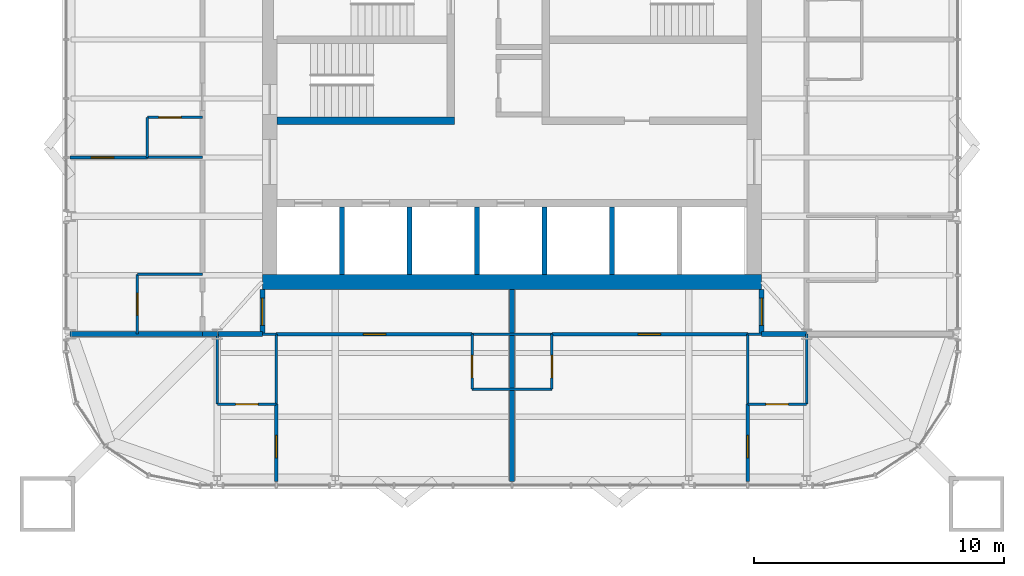
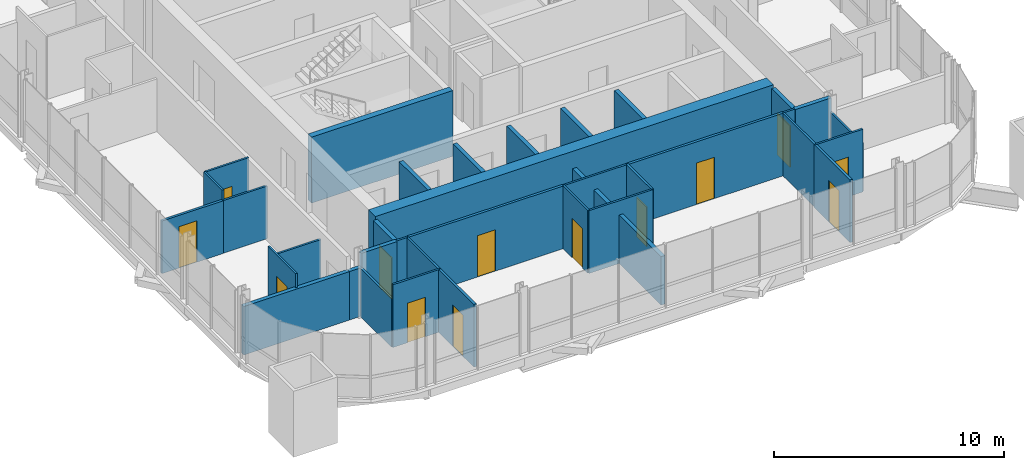
# One storey, part 13 of 17: 36 walls, 13 doors, 13 openings.
"""IFC4 building model written with IfcOpenShell, lengths in metres."""

from ifc_helpers import new_model, si_unit, direction, frame, frame_2d, origin, place, context, subcontext, project, spatial, rectangle, extrude, material, layer, layer_set, type_object, element, fill, save


model = new_model("IFC4")

# Units and contexts
model_context = context("Model", 3, precision=1e-05, world=origin(), true_north=direction((0.0, 1.0)))
body_context = subcontext(model_context, "Body", "Model", "MODEL_VIEW")
ifc_project = project(units=[si_unit("LENGTHUNIT", "METRE"), si_unit("AREAUNIT", "SQUARE_METRE"), si_unit("VOLUMEUNIT", "CUBIC_METRE"), si_unit("PLANEANGLEUNIT", "RADIAN"), si_unit("MASSUNIT", "GRAM", prefix="KILO")], contexts=[model_context])

# Site, building, storey
site_placement = place(None, origin())
site = spatial("IfcSite", under=ifc_project, at=site_placement, CompositionType="ELEMENT")
building_placement = place(site_placement, origin())
building = spatial("IfcBuilding", under=site, at=building_placement, Name="Turquesa Mirador Hotel Tower", CompositionType="ELEMENT")
storey_placement = place(building_placement, frame((0.0, 0.0, 244.199951171875)))
storey = spatial("IfcBuildingStorey", under=building, at=storey_placement, Name="L66", CompositionType="ELEMENT", Elevation=244.199951171875)

# Walls
ifc_material_1 = material(Name="Gypsum board on steel studs", Category="steel")
ifc_layer_1 = layer(ifc_material_1, 0.10009765625)
ifc_layer_set_1 = layer_set([ifc_layer_1], Name="BATHROOM WALL 100")
wall_type_1 = type_object("IfcWallType", Name="BATHROOM WALL 100", PredefinedType="PARTITIONING", material=ifc_layer_set_1)
wall_1_placement = place(storey_placement, frame((45.0, 33.199951171875, 0.0), z_axis=(0.0, 0.0, 1.0), x_axis=(1.0, 0.0, 0.0)))
element("IfcWall", 1, at=wall_1_placement, inside=storey, type_object=wall_type_1, Name="Partition L66 002", PredefinedType="PARTITIONING", context=body_context, shape_type="SweptSolid", body=[
    extrude(rectangle(XDim=0.56005859375, YDim=0.10009765625, at=frame_2d((0.280029296875, 0.0))), origin(), (0.0, 0.0, 1.0), 3.330078125),
])
wall_2_placement = place(storey_placement, frame((53.39990234375, 33.199951171875, 0.0), z_axis=(0.0, 0.0, 1.0), x_axis=(1.0, 0.0, 0.0)))
element("IfcWall", 2, at=wall_2_placement, inside=storey, type_object=wall_type_1, Name="Partition L66 003", PredefinedType="PARTITIONING", context=body_context, shape_type="SweptSolid", body=[
    extrude(rectangle(XDim=3.2001953125, YDim=0.10009765625, at=frame_2d((1.60009765625, 0.0))), origin(), (0.0, 0.0, 1.0), 3.330078125),
])
wall_3_placement = place(storey_placement, frame((64.43994140625, 33.199951171875, 0.0), z_axis=(0.0, 0.0, 1.0), x_axis=(1.0, 0.0, 0.0)))
element("IfcWall", 3, at=wall_3_placement, inside=storey, type_object=wall_type_1, Name="Partition L66 004", PredefinedType="PARTITIONING", context=body_context, shape_type="SweptSolid", body=[
    extrude(rectangle(XDim=0.56005859375, YDim=0.10009765625, at=frame_2d((0.280029296875, 0.0))), origin(), (0.0, 0.0, 1.0), 3.330078125),
])
wall_4_placement = place(storey_placement, frame((53.39990234375, 31.0, 0.0), z_axis=(0.0, 0.0, 1.0), x_axis=(1.0, 0.0, 0.0)))
element("IfcWall", 4, at=wall_4_placement, inside=storey, type_object=wall_type_1, Name="Partition L66 011", PredefinedType="PARTITIONING", context=body_context, shape_type="SweptSolid", body=[
    extrude(rectangle(XDim=3.2001953125, YDim=0.10009765625, at=frame_2d((1.60009765625, 0.0))), origin(), (0.0, 0.0, 1.0), 3.330078125),
])

# Wall, opening, door
wall_5_placement = place(storey_placement, frame((43.199951171875, 30.39990234375, 0.0), z_axis=(0.0, 0.0, 1.0), x_axis=(1.0, 0.0, 0.0)))
wall_5 = element("IfcWall", 5, at=wall_5_placement, inside=storey, type_object=wall_type_1, Name="Partition L66 012", PredefinedType="PARTITIONING", context=body_context, shape_type="SweptSolid", body=[
    extrude(rectangle(XDim=2.360107421875, YDim=0.10009765625, at=frame_2d((1.18017578125, 0.0))), origin(), (0.0, 0.0, 1.0), 3.330078125),
])
opening_1_placement = place(wall_5_placement, frame((0.72998046875, 0.0, 0.0)))
opening_1 = element("IfcOpeningElement", 6, at=opening_1_placement, cuts=wall_5, Name="Opening D02", PredefinedType="OPENING", context=body_context, shape_type="SweptSolid", body=[
    extrude(rectangle(XDim=0.89990234375, YDim=2.10009765625, at=frame_2d((0.449951171875, 1.050048828125))), frame((0.0, 0.06005859375, 0.0), z_axis=(0.0, -1.0, 0.0), x_axis=(1.0, 0.0, 0.0)), (0.0, 0.0, 1.0), 0.1201171875),
])
ifc_material_2 = material(Name="Timber veneered door", Category="wood")
door_type_1 = type_object("IfcDoorType", Name="DOOR 900X2100 EN-SUITE", OperationType="SINGLE_SWING_RIGHT", PredefinedType="DOOR", material=ifc_material_2)
door_1_placement = place(opening_1_placement, origin())
door_1 = element("IfcDoor", 7, at=door_1_placement, inside=storey, type_object=door_type_1, Name="Door 6602B", OperationType="SINGLE_SWING_RIGHT", OverallHeight=2.10009765625, OverallWidth=0.89990234375, PredefinedType="DOOR", context=body_context, shape_type="SweptSolid", body=[
    extrude(rectangle(XDim=0.89990234375, YDim=2.10009765625, at=frame_2d((0.449951171875, 1.050048828125))), frame((0.0, 0.02490234375, 0.0), z_axis=(0.0, -1.0, 0.0), x_axis=(1.0, 0.0, 0.0)), (0.0, 0.0, 1.0), 0.050048828125),
])
fill(opening_1, door_1)

wall_6_placement = place(storey_placement, frame((64.43994140625, 30.39990234375, 0.0), z_axis=(0.0, 0.0, 1.0), x_axis=(1.0, 0.0, 0.0)))
wall_6 = element("IfcWall", 8, at=wall_6_placement, inside=storey, type_object=wall_type_1, Name="Partition L66 013", PredefinedType="PARTITIONING", context=body_context, shape_type="SweptSolid", body=[
    extrude(rectangle(XDim=2.360107421875, YDim=0.10009765625, at=frame_2d((1.18017578125, 0.0))), origin(), (0.0, 0.0, 1.0), 3.330078125),
])
opening_2_placement = place(wall_6_placement, frame((0.72998046875, 0.0, 0.0)))
opening_2 = element("IfcOpeningElement", 9, at=opening_2_placement, cuts=wall_6, Name="Opening D02", PredefinedType="OPENING", context=body_context, shape_type="SweptSolid", body=[
    extrude(rectangle(XDim=0.89990234375, YDim=2.10009765625, at=frame_2d((0.449951171875, 1.050048828125))), frame((0.0, 0.06005859375, 0.0), z_axis=(0.0, -1.0, 0.0), x_axis=(1.0, 0.0, 0.0)), (0.0, 0.0, 1.0), 0.1201171875),
])
door_2_placement = place(opening_2_placement, origin())
door_2 = element("IfcDoor", 10, at=door_2_placement, inside=storey, type_object=door_type_1, Name="Door 6603B", OperationType="SINGLE_SWING_RIGHT", OverallHeight=2.10009765625, OverallWidth=0.89990234375, PredefinedType="DOOR", context=body_context, shape_type="SweptSolid", body=[
    extrude(rectangle(XDim=0.89990234375, YDim=2.10009765625, at=frame_2d((0.449951171875, 1.050048828125))), frame((0.0, 0.02490234375, 0.0), z_axis=(0.0, -1.0, 0.0), x_axis=(1.0, 0.0, 0.0)), (0.0, 0.0, 1.0), 0.050048828125),
])
fill(opening_2, door_2)

wall_7_placement = place(storey_placement, frame((40.39990234375, 41.8798828125, 0.0), z_axis=(0.0, 0.0, 1.0), x_axis=(1.0, 0.0, 0.0)))
wall_7 = element("IfcWall", 11, at=wall_7_placement, inside=storey, type_object=wall_type_1, Name="Partition L66 014", PredefinedType="PARTITIONING", context=body_context, shape_type="SweptSolid", body=[
    extrude(rectangle(XDim=2.2001953125, YDim=0.10009765625, at=frame_2d((1.10009765625, 0.0))), origin(), (0.0, 0.0, 1.0), 3.330078125),
])
opening_3_placement = place(wall_7_placement, frame((0.449951171875, 0.0, 0.0)))
opening_3 = element("IfcOpeningElement", 12, at=opening_3_placement, cuts=wall_7, Name="Opening D06", PredefinedType="OPENING", context=body_context, shape_type="SweptSolid", body=[
    extrude(rectangle(XDim=0.89990234375, YDim=2.10009765625, at=frame_2d((0.449951171875, 1.050048828125))), frame((0.0, 0.06005859375, 0.0), z_axis=(0.0, -1.0, 0.0), x_axis=(1.0, 0.0, 0.0)), (0.0, 0.0, 1.0), 0.1201171875),
])
ifc_material_3 = material(Name="Laminate door", Category="wood")
door_type_2 = type_object("IfcDoorType", Name="DOOR 900X2100 WC", OperationType="SINGLE_SWING_LEFT", PredefinedType="DOOR", material=ifc_material_3)
door_3_placement = place(opening_3_placement, origin())
door_3 = element("IfcDoor", 13, at=door_3_placement, inside=storey, type_object=door_type_2, Name="Door 6606W", OperationType="SINGLE_SWING_LEFT", OverallHeight=2.10009765625, OverallWidth=0.89990234375, PredefinedType="DOOR", context=body_context, shape_type="SweptSolid", body=[
    extrude(rectangle(XDim=0.89990234375, YDim=2.10009765625, at=frame_2d((0.449951171875, 1.050048828125))), frame((0.0, 0.02490234375, 0.0), z_axis=(0.0, -1.0, 0.0), x_axis=(1.0, 0.0, 0.0)), (0.0, 0.0, 1.0), 0.050048828125),
])
fill(opening_3, door_3)

# Walls
wall_8_placement = place(storey_placement, frame((40.39990234375, 40.280029296875, 0.0), z_axis=(0.0, 0.0, 1.0), x_axis=(1.0, 0.0, 0.0)))
element("IfcWall", 14, at=wall_8_placement, inside=storey, type_object=wall_type_1, Name="Partition L66 015", PredefinedType="PARTITIONING", context=body_context, shape_type="SweptSolid", body=[
    extrude(rectangle(XDim=2.2001953125, YDim=0.10009765625, at=frame_2d((1.10009765625, 0.0))), origin(), (0.0, 0.0, 1.0), 2.796630859375),
])
wall_9_placement = place(storey_placement, frame((40.0, 35.60009765625, 0.0), z_axis=(0.0, 0.0, 1.0), x_axis=(1.0, 0.0, 0.0)))
element("IfcWall", 15, at=wall_9_placement, inside=storey, type_object=wall_type_1, Name="Partition L66 019", PredefinedType="PARTITIONING", context=body_context, shape_type="SweptSolid", body=[
    extrude(rectangle(XDim=2.60009765625, YDim=0.10009765625, at=frame_2d((1.300048828125, 0.0))), origin(), (0.0, 0.0, 1.0), 2.796630859375),
])

# Wall, opening, door
wall_10_placement = place(storey_placement, frame((53.39990234375, 31.0, 0.0), z_axis=(0.0, 0.0, 1.0), x_axis=(0.0, 1.0, 0.0)))
wall_10 = element("IfcWall", 16, at=wall_10_placement, inside=storey, type_object=wall_type_1, Name="Partition L66 041", PredefinedType="PARTITIONING", context=body_context, shape_type="SweptSolid", body=[
    extrude(rectangle(XDim=2.199951171875, YDim=0.10009765625, at=frame_2d((1.10009765625, 0.0))), origin(), (0.0, 0.0, 1.0), 3.330078125),
])
opening_4_placement = place(wall_10_placement, frame((0.449951171875, 0.0, 0.0)))
opening_4 = element("IfcOpeningElement", 17, at=opening_4_placement, cuts=wall_10, Name="Opening D06", PredefinedType="OPENING", context=body_context, shape_type="SweptSolid", body=[
    extrude(rectangle(XDim=0.89990234375, YDim=2.10009765625, at=frame_2d((0.449951171875, 1.050048828125))), frame((0.0, 0.06005859375, 0.0), z_axis=(0.0, -1.0, 0.0), x_axis=(1.0, 0.0, 0.0)), (0.0, 0.0, 1.0), 0.1201171875),
])
door_4_placement = place(opening_4_placement, origin())
door_4 = element("IfcDoor", 18, at=door_4_placement, inside=storey, type_object=door_type_2, Name="Door 6602W", OperationType="SINGLE_SWING_LEFT", OverallHeight=2.10009765625, OverallWidth=0.89990234375, PredefinedType="DOOR", context=body_context, shape_type="SweptSolid", body=[
    extrude(rectangle(XDim=0.89990234375, YDim=2.10009765625, at=frame_2d((0.449951171875, 1.050048828125))), frame((0.0, 0.02490234375, 0.0), z_axis=(0.0, -1.0, 0.0), x_axis=(1.0, 0.0, 0.0)), (0.0, 0.0, 1.0), 0.050048828125),
])
fill(opening_4, door_4)

# Walls
wall_11_placement = place(storey_placement, frame((43.199951171875, 30.39990234375, 0.0), z_axis=(0.0, 0.0, 1.0), x_axis=(0.0, 1.0, 0.0)))
element("IfcWall", 19, at=wall_11_placement, inside=storey, type_object=wall_type_1, Name="Partition L66 044", PredefinedType="PARTITIONING", context=body_context, shape_type="SweptSolid", body=[
    extrude(rectangle(XDim=2.800048828125, YDim=0.10009765625, at=frame_2d((1.39990234375, 0.0))), origin(), (0.0, 0.0, 1.0), 2.5732421875),
])
wall_12_placement = place(storey_placement, frame((40.39990234375, 40.280029296875, 0.0), z_axis=(0.0, 0.0, 1.0), x_axis=(0.0, 1.0, 0.0)))
element("IfcWall", 20, at=wall_12_placement, inside=storey, type_object=wall_type_1, Name="Partition L66 047", PredefinedType="PARTITIONING", context=body_context, shape_type="SweptSolid", body=[
    extrude(rectangle(XDim=1.599853515625, YDim=0.10009765625, at=frame_2d((0.7998046875, 0.0))), origin(), (0.0, 0.0, 1.0), 3.330078125),
])

# Wall, opening, door
wall_13_placement = place(storey_placement, frame((40.0, 33.199951171875, 0.0), z_axis=(0.0, 0.0, 1.0), x_axis=(0.0, 1.0, 0.0)))
wall_13 = element("IfcWall", 21, at=wall_13_placement, inside=storey, type_object=wall_type_1, Name="Partition L66 049", PredefinedType="PARTITIONING", context=body_context, shape_type="SweptSolid", body=[
    extrude(rectangle(XDim=2.400146484375, YDim=0.10009765625, at=frame_2d((1.2001953125, 0.0))), origin(), (0.0, 0.0, 1.0), 3.330078125),
])
opening_5_placement = place(wall_13_placement, frame((0.75, 0.0, 0.0)))
opening_5 = element("IfcOpeningElement", 22, at=opening_5_placement, cuts=wall_13, Name="Opening D17", PredefinedType="OPENING", context=body_context, shape_type="SweptSolid", body=[
    extrude(rectangle(XDim=0.89990234375, YDim=2.199951171875, at=frame_2d((0.449951171875, 1.10009765625))), frame((0.0, 0.06005859375, 0.0), z_axis=(0.0, -1.0, 0.0), x_axis=(1.0, 0.0, 0.0)), (0.0, 0.0, 1.0), 0.1201171875),
])
ifc_material_4 = material(Name="Timber veneered door", Category="wood")
door_type_3 = type_object("IfcDoorType", Name="DOOR 900X2200 SUITE INTERNAL", OperationType="SINGLE_SWING_LEFT", PredefinedType="DOOR", material=ifc_material_4)
door_5_placement = place(opening_5_placement, origin())
door_5 = element("IfcDoor", 23, at=door_5_placement, inside=storey, type_object=door_type_3, Name="Door 6606P", OperationType="SINGLE_SWING_LEFT", OverallHeight=2.199951171875, OverallWidth=0.89990234375, PredefinedType="DOOR", context=body_context, shape_type="SweptSolid", body=[
    extrude(rectangle(XDim=0.89990234375, YDim=2.199951171875, at=frame_2d((0.449951171875, 1.10009765625))), frame((0.0, 0.02490234375, 0.0), z_axis=(0.0, -1.0, 0.0), x_axis=(1.0, 0.0, 0.0)), (0.0, 0.0, 1.0), 0.050048828125),
])
fill(opening_5, door_5)

# Wall
wall_14_placement = place(storey_placement, frame((45.56005859375, 30.39990234375, 0.0), z_axis=(0.0, 0.0, 1.0), x_axis=(0.0, 1.0, 0.0)))
element("IfcWall", 24, at=wall_14_placement, inside=storey, type_object=wall_type_1, Name="Partition L66 055", PredefinedType="PARTITIONING", context=body_context, shape_type="SweptSolid", body=[
    extrude(rectangle(XDim=2.800048828125, YDim=0.10009765625, at=frame_2d((1.39990234375, 0.0))), origin(), (0.0, 0.0, 1.0), 3.330078125),
])

# Wall, opening, door
wall_15_placement = place(storey_placement, frame((56.60009765625, 31.0, 0.0), z_axis=(0.0, 0.0, 1.0), x_axis=(0.0, 1.0, 0.0)))
wall_15 = element("IfcWall", 25, at=wall_15_placement, inside=storey, type_object=wall_type_1, Name="Partition L66 058", PredefinedType="PARTITIONING", context=body_context, shape_type="SweptSolid", body=[
    extrude(rectangle(XDim=2.199951171875, YDim=0.10009765625, at=frame_2d((1.10009765625, 0.0))), origin(), (0.0, 0.0, 1.0), 3.330078125),
])
opening_6_placement = place(wall_15_placement, frame((0.449951171875, 0.0, 0.0)))
opening_6 = element("IfcOpeningElement", 26, at=opening_6_placement, cuts=wall_15, Name="Opening D06", PredefinedType="OPENING", context=body_context, shape_type="SweptSolid", body=[
    extrude(rectangle(XDim=0.89990234375, YDim=2.10009765625, at=frame_2d((0.449951171875, 1.050048828125))), frame((0.0, 0.06005859375, 0.0), z_axis=(0.0, -1.0, 0.0), x_axis=(1.0, 0.0, 0.0)), (0.0, 0.0, 1.0), 0.1201171875),
])
door_6_placement = place(opening_6_placement, origin())
door_6 = element("IfcDoor", 27, at=door_6_placement, inside=storey, type_object=door_type_2, Name="Door 6603W", OperationType="SINGLE_SWING_LEFT", OverallHeight=2.10009765625, OverallWidth=0.89990234375, PredefinedType="DOOR", context=body_context, shape_type="SweptSolid", body=[
    extrude(rectangle(XDim=0.89990234375, YDim=2.10009765625, at=frame_2d((0.449951171875, 1.050048828125))), frame((0.0, 0.02490234375, 0.0), z_axis=(0.0, -1.0, 0.0), x_axis=(1.0, 0.0, 0.0)), (0.0, 0.0, 1.0), 0.050048828125),
])
fill(opening_6, door_6)

# Walls
wall_16_placement = place(storey_placement, frame((66.800048828125, 30.39990234375, 0.0), z_axis=(0.0, 0.0, 1.0), x_axis=(0.0, 1.0, 0.0)))
element("IfcWall", 28, at=wall_16_placement, inside=storey, type_object=wall_type_1, Name="Partition L66 061", PredefinedType="PARTITIONING", context=body_context, shape_type="SweptSolid", body=[
    extrude(rectangle(XDim=2.800048828125, YDim=0.10009765625, at=frame_2d((1.39990234375, 0.0))), origin(), (0.0, 0.0, 1.0), 2.5732421875),
])
wall_17_placement = place(storey_placement, frame((64.43994140625, 30.39990234375, 0.0), z_axis=(0.0, 0.0, 1.0), x_axis=(0.0, 1.0, 0.0)))
element("IfcWall", 29, at=wall_17_placement, inside=storey, type_object=wall_type_1, Name="Partition L66 070", PredefinedType="PARTITIONING", context=body_context, shape_type="SweptSolid", body=[
    extrude(rectangle(XDim=2.800048828125, YDim=0.10009765625, at=frame_2d((1.39990234375, 0.0))), origin(), (0.0, 0.0, 1.0), 3.330078125),
])
ifc_material_5 = material(Name="Concrete C50/60", Category="concrete")
ifc_layer_2 = layer(ifc_material_5, 0.300048828125)
ifc_layer_set_2 = layer_set([ifc_layer_2], Name="CORE INNER WALL 300")
wall_type_2 = type_object("IfcWallType", Name="CORE INNER WALL 300", PredefinedType="SHEAR", material=ifc_layer_set_2)
wall_18_placement = place(storey_placement, frame((45.60009765625, 41.75, 0.0), z_axis=(0.0, 0.0, 1.0), x_axis=(1.0, 0.0, 0.0)))
element("IfcWall", 30, at=wall_18_placement, inside=storey, type_object=wall_type_2, Name="Core wall MS-W", PredefinedType="SHEAR", context=body_context, shape_type="SweptSolid", body=[
    extrude(rectangle(XDim=7.099853515625, YDim=0.300048828125, at=frame_2d((3.5498046875, 0.0))), origin(), (0.0, 0.0, 1.0), 3.5),
])
ifc_material_6 = material(Name="Concrete C50/60", Category="concrete")
ifc_layer_3 = layer(ifc_material_6, 0.60009765625)
ifc_layer_set_3 = layer_set([ifc_layer_3], Name="CORE WALL 600")
wall_type_3 = type_object("IfcWallType", Name="CORE WALL 600", PredefinedType="SHEAR", material=ifc_layer_set_3)
wall_19_placement = place(storey_placement, frame((45.0, 35.300048828125, 0.0), z_axis=(0.0, 0.0, 1.0), x_axis=(1.0, 0.0, 0.0)))
element("IfcWall", 31, at=wall_19_placement, inside=storey, type_object=wall_type_3, Name="Core wall S", PredefinedType="SHEAR", context=body_context, shape_type="SweptSolid", body=[
    extrude(rectangle(XDim=20.0, YDim=0.60009765625, at=frame_2d((10.0, 0.0))), origin(), (0.0, 0.0, 1.0), 3.5),
])
ifc_material_7 = material(Name="Fire-rated gypsum board on steel studs", Category="steel")
ifc_layer_4 = layer(ifc_material_7, 0.199951171875)
ifc_layer_set_4 = layer_set([ifc_layer_4], Name="CORRIDOR WALL 200")
wall_type_4 = type_object("IfcWallType", Name="CORRIDOR WALL 200", PredefinedType="PARTITIONING", material=ifc_layer_set_4)
wall_20_placement = place(storey_placement, frame((43.219970703125, 33.199951171875, 0.0), z_axis=(0.0, 0.0, 1.0), x_axis=(1.0, 0.0, 0.0)))
element("IfcWall", 32, at=wall_20_placement, inside=storey, type_object=wall_type_4, Name="Partition L66 005", PredefinedType="PARTITIONING", context=body_context, shape_type="SweptSolid", body=[
    extrude(rectangle(XDim=1.780029296875, YDim=0.199951171875, at=frame_2d((0.89013671875, 0.0))), origin(), (0.0, 0.0, 1.0), 3.330078125),
])
wall_21_placement = place(storey_placement, frame((65.0, 33.199951171875, 0.0), z_axis=(0.0, 0.0, 1.0), x_axis=(1.0, 0.0, 0.0)))
element("IfcWall", 33, at=wall_21_placement, inside=storey, type_object=wall_type_4, Name="Partition L66 006", PredefinedType="PARTITIONING", context=body_context, shape_type="SweptSolid", body=[
    extrude(rectangle(XDim=1.800048828125, YDim=0.199951171875, at=frame_2d((0.89990234375, 0.0))), origin(), (0.0, 0.0, 1.0), 3.330078125),
])

# Wall, opening, door
wall_22_placement = place(storey_placement, frame((45.0, 33.199951171875, 0.0), z_axis=(0.0, 0.0, 1.0), x_axis=(0.0, 1.0, 0.0)))
wall_22 = element("IfcWall", 34, at=wall_22_placement, inside=storey, type_object=wall_type_4, Name="Partition L66 042", PredefinedType="PARTITIONING", context=body_context, shape_type="SweptSolid", body=[
    extrude(rectangle(XDim=1.800048828125, YDim=0.199951171875, at=frame_2d((0.89990234375, 0.0))), origin(), (0.0, 0.0, 1.0), 3.330078125),
])
opening_7_placement = place(wall_22_placement, frame((0.35009765625, 0.0, 0.0)))
opening_7 = element("IfcOpeningElement", 35, at=opening_7_placement, cuts=wall_22, Name="Opening D15", PredefinedType="OPENING", context=body_context, shape_type="SweptSolid", body=[
    extrude(rectangle(XDim=1.10009765625, YDim=2.199951171875, at=frame_2d((0.550048828125, 1.10009765625))), frame((0.0, 0.10986328125, 0.0), z_axis=(0.0, -1.0, 0.0), x_axis=(1.0, 0.0, 0.0)), (0.0, 0.0, 1.0), 0.219970703125),
])
ifc_material_8 = material(Name="Timber veneered fire door", Category="wood")
door_type_4 = type_object("IfcDoorType", Name="DOOR 1100X2200 SUITE ENTRY", OperationType="SINGLE_SWING_LEFT", PredefinedType="DOOR", material=ifc_material_8)
door_7_placement = place(opening_7_placement, origin())
door_7 = element("IfcDoor", 36, at=door_7_placement, inside=storey, type_object=door_type_4, Name="Door 6602G", OperationType="SINGLE_SWING_LEFT", OverallHeight=2.199951171875, OverallWidth=1.10009765625, PredefinedType="DOOR", context=body_context, shape_type="SweptSolid", body=[
    extrude(rectangle(XDim=1.10009765625, YDim=2.199951171875, at=frame_2d((0.550048828125, 1.10009765625))), frame((0.0, 0.02490234375, 0.0), z_axis=(0.0, -1.0, 0.0), x_axis=(1.0, 0.0, 0.0)), (0.0, 0.0, 1.0), 0.050048828125),
])
fill(opening_7, door_7)

wall_23_placement = place(storey_placement, frame((65.0, 33.199951171875, 0.0), z_axis=(0.0, 0.0, 1.0), x_axis=(0.0, 1.0, 0.0)))
wall_23 = element("IfcWall", 37, at=wall_23_placement, inside=storey, type_object=wall_type_4, Name="Partition L66 059", PredefinedType="PARTITIONING", context=body_context, shape_type="SweptSolid", body=[
    extrude(rectangle(XDim=1.800048828125, YDim=0.199951171875, at=frame_2d((0.89990234375, 0.0))), origin(), (0.0, 0.0, 1.0), 3.330078125),
])
opening_8_placement = place(wall_23_placement, frame((0.35009765625, 0.0, 0.0)))
opening_8 = element("IfcOpeningElement", 38, at=opening_8_placement, cuts=wall_23, Name="Opening D15", PredefinedType="OPENING", context=body_context, shape_type="SweptSolid", body=[
    extrude(rectangle(XDim=1.10009765625, YDim=2.199951171875, at=frame_2d((0.550048828125, 1.10009765625))), frame((0.0, 0.10986328125, 0.0), z_axis=(0.0, -1.0, 0.0), x_axis=(1.0, 0.0, 0.0)), (0.0, 0.0, 1.0), 0.219970703125),
])
door_8_placement = place(opening_8_placement, origin())
door_8 = element("IfcDoor", 39, at=door_8_placement, inside=storey, type_object=door_type_4, Name="Door 6603G", OperationType="SINGLE_SWING_LEFT", OverallHeight=2.199951171875, OverallWidth=1.10009765625, PredefinedType="DOOR", context=body_context, shape_type="SweptSolid", body=[
    extrude(rectangle(XDim=1.10009765625, YDim=2.199951171875, at=frame_2d((0.550048828125, 1.10009765625))), frame((0.0, 0.02490234375, 0.0), z_axis=(0.0, -1.0, 0.0), x_axis=(1.0, 0.0, 0.0)), (0.0, 0.0, 1.0), 0.050048828125),
])
fill(opening_8, door_8)

# Walls
wall_24_placement = place(storey_placement, frame((42.60009765625, 33.199951171875, 0.0), z_axis=(0.0, 0.0, 1.0), x_axis=(1.0, 0.0, 0.0)))
element("IfcWall", 40, at=wall_24_placement, inside=storey, type_object=wall_type_4, Name="Partition L66 072", PredefinedType="PARTITIONING", context=body_context, shape_type="SweptSolid", body=[
    extrude(rectangle(XDim=0.619873046875, YDim=0.199951171875, at=frame_2d((0.31005859375, 0.0))), origin(), (0.0, 0.0, 1.0), 2.5732421875),
])
ifc_material_9 = material(Name="Fire-rated gypsum shaft wall on steel studs", Category="steel")
ifc_layer_5 = layer(ifc_material_9, 0.199951171875)
ifc_layer_set_5 = layer_set([ifc_layer_5], Name="LIFT SHAFT DIVIDER 200")
wall_type_5 = type_object("IfcWallType", Name="LIFT SHAFT DIVIDER 200", PredefinedType="PARTITIONING", material=ifc_layer_set_5)
for number, where, z_axis, x_axis, name in (
    (41, (48.199951171875, 35.60009765625, 0.0), (0.0, 0.0, 1.0), (0.0, 1.0, 0.0), "Lift shaft divider"),
    (42, (50.89990234375, 35.60009765625, 0.0), (0.0, 0.0, 1.0), (0.0, 1.0, 0.0), "Lift shaft divider"),
    (43, (53.60009765625, 35.60009765625, 0.0), (0.0, 0.0, 1.0), (0.0, 1.0, 0.0), "Lift shaft divider"),
    (44, (56.300048828125, 35.60009765625, 0.0), (0.0, 0.0, 1.0), (0.0, 1.0, 0.0), "Lift shaft divider"),
    (45, (59.0, 35.60009765625, 0.0), (0.0, 0.0, 1.0), (0.0, 1.0, 0.0), "Lift shaft divider"),
):
    element("IfcWall", number, at=place(storey_placement, frame(where, z_axis=z_axis, x_axis=x_axis)), inside=storey, type_object=wall_type_5, Name=name, PredefinedType="PARTITIONING", context=body_context, shape_type="SweptSolid", body=[
        extrude(rectangle(XDim=2.699951171875, YDim=0.199951171875, at=frame_2d((1.35009765625, 0.0))), origin(), (0.0, 0.0, 1.0), 3.330078125),
    ])
ifc_material_10 = material(Name="Fire-rated gypsum board on steel studs", Category="steel")
ifc_layer_6 = layer(ifc_material_10, 0.199951171875)
ifc_layer_set_6 = layer_set([ifc_layer_6], Name="PARTY WALL 200")
wall_type_6 = type_object("IfcWallType", Name="PARTY WALL 200", PredefinedType="PARTITIONING", material=ifc_layer_set_6)
wall_25_placement = place(storey_placement, frame((37.300048828125, 33.199951171875, 0.0), z_axis=(0.0, 0.0, 1.0), x_axis=(1.0, 0.0, 0.0)))
element("IfcWall", 46, at=wall_25_placement, inside=storey, type_object=wall_type_6, Name="Partition L66 007", PredefinedType="PARTITIONING", context=body_context, shape_type="SweptSolid", body=[
    extrude(rectangle(XDim=5.300048828125, YDim=0.199951171875, at=frame_2d((2.64990234375, 0.0))), origin(), (0.0, 0.0, 1.0), 2.5732421875),
])
wall_26_placement = place(storey_placement, frame((55.0, 27.300048828125, 0.0), z_axis=(0.0, 0.0, 1.0), x_axis=(0.0, 1.0, 0.0)))
element("IfcWall", 47, at=wall_26_placement, inside=storey, type_object=wall_type_6, Name="Partition L66 057", PredefinedType="PARTITIONING", context=body_context, shape_type="SweptSolid", body=[
    extrude(rectangle(XDim=7.699951171875, YDim=0.199951171875, at=frame_2d((3.85009765625, 0.0))), origin(), (0.0, 0.0, 1.0), 2.5732421875),
])

# Wall, opening, door
ifc_material_11 = material(Name="Acoustic gypsum board on steel studs", Category="steel")
ifc_layer_7 = layer(ifc_material_11, 0.125)
ifc_layer_set_7 = layer_set([ifc_layer_7], Name="SUITE PARTITION 125")
wall_type_7 = type_object("IfcWallType", Name="SUITE PARTITION 125", PredefinedType="PARTITIONING", material=ifc_layer_set_7)
wall_27_placement = place(storey_placement, frame((45.56005859375, 33.199951171875, 0.0), z_axis=(0.0, 0.0, 1.0), x_axis=(1.0, 0.0, 0.0)))
wall_27 = element("IfcWall", 48, at=wall_27_placement, inside=storey, type_object=wall_type_7, Name="Partition L66 009", PredefinedType="PARTITIONING", context=body_context, shape_type="SweptSolid", body=[
    extrude(rectangle(XDim=7.83984375, YDim=0.125, at=frame_2d((3.919921875, 0.0))), origin(), (0.0, 0.0, 1.0), 3.330078125),
])
opening_9_placement = place(wall_27_placement, frame((3.489990234375, 0.0, 0.0)))
opening_9 = element("IfcOpeningElement", 49, at=opening_9_placement, cuts=wall_27, Name="Opening D17", PredefinedType="OPENING", context=body_context, shape_type="SweptSolid", body=[
    extrude(rectangle(XDim=0.89990234375, YDim=2.199951171875, at=frame_2d((0.449951171875, 1.10009765625))), frame((0.0, 0.072509765625, 0.0), z_axis=(0.0, -1.0, 0.0), x_axis=(1.0, 0.0, 0.0)), (0.0, 0.0, 1.0), 0.14501953125),
])
door_9_placement = place(opening_9_placement, origin())
door_9 = element("IfcDoor", 50, at=door_9_placement, inside=storey, type_object=door_type_3, Name="Door 6602", OperationType="SINGLE_SWING_LEFT", OverallHeight=2.199951171875, OverallWidth=0.89990234375, PredefinedType="DOOR", context=body_context, shape_type="SweptSolid", body=[
    extrude(rectangle(XDim=0.89990234375, YDim=2.199951171875, at=frame_2d((0.449951171875, 1.10009765625))), frame((0.0, 0.02490234375, 0.0), z_axis=(0.0, -1.0, 0.0), x_axis=(1.0, 0.0, 0.0)), (0.0, 0.0, 1.0), 0.050048828125),
])
fill(opening_9, door_9)

wall_28_placement = place(storey_placement, frame((56.60009765625, 33.199951171875, 0.0), z_axis=(0.0, 0.0, 1.0), x_axis=(1.0, 0.0, 0.0)))
wall_28 = element("IfcWall", 51, at=wall_28_placement, inside=storey, type_object=wall_type_7, Name="Partition L66 010", PredefinedType="PARTITIONING", context=body_context, shape_type="SweptSolid", body=[
    extrude(rectangle(XDim=7.83984375, YDim=0.125, at=frame_2d((3.919921875, 0.0))), origin(), (0.0, 0.0, 1.0), 3.330078125),
])
opening_10_placement = place(wall_28_placement, frame((3.449951171875, 0.0, 0.0)))
opening_10 = element("IfcOpeningElement", 52, at=opening_10_placement, cuts=wall_28, Name="Opening D17", PredefinedType="OPENING", context=body_context, shape_type="SweptSolid", body=[
    extrude(rectangle(XDim=0.89990234375, YDim=2.199951171875, at=frame_2d((0.449951171875, 1.10009765625))), frame((0.0, 0.072509765625, 0.0), z_axis=(0.0, -1.0, 0.0), x_axis=(1.0, 0.0, 0.0)), (0.0, 0.0, 1.0), 0.14501953125),
])
door_10_placement = place(opening_10_placement, origin())
door_10 = element("IfcDoor", 53, at=door_10_placement, inside=storey, type_object=door_type_3, Name="Door 6603", OperationType="SINGLE_SWING_LEFT", OverallHeight=2.199951171875, OverallWidth=0.89990234375, PredefinedType="DOOR", context=body_context, shape_type="SweptSolid", body=[
    extrude(rectangle(XDim=0.89990234375, YDim=2.199951171875, at=frame_2d((0.449951171875, 1.10009765625))), frame((0.0, 0.02490234375, 0.0), z_axis=(0.0, -1.0, 0.0), x_axis=(1.0, 0.0, 0.0)), (0.0, 0.0, 1.0), 0.050048828125),
])
fill(opening_10, door_10)

wall_29_placement = place(storey_placement, frame((37.300048828125, 40.280029296875, 0.0), z_axis=(0.0, 0.0, 1.0), x_axis=(1.0, 0.0, 0.0)))
wall_29 = element("IfcWall", 54, at=wall_29_placement, inside=storey, type_object=wall_type_7, Name="Partition L66 016", PredefinedType="PARTITIONING", context=body_context, shape_type="SweptSolid", body=[
    extrude(rectangle(XDim=3.099853515625, YDim=0.125, at=frame_2d((1.5498046875, 0.0))), origin(), (0.0, 0.0, 1.0), 2.796630859375),
])
opening_11_placement = place(wall_29_placement, frame((0.85009765625, 0.0, 0.0)))
opening_11 = element("IfcOpeningElement", 55, at=opening_11_placement, cuts=wall_29, Name="Opening D17", PredefinedType="OPENING", context=body_context, shape_type="SweptSolid", body=[
    extrude(rectangle(XDim=0.89990234375, YDim=2.199951171875, at=frame_2d((0.449951171875, 1.10009765625))), frame((0.0, 0.072509765625, 0.0), z_axis=(0.0, -1.0, 0.0), x_axis=(1.0, 0.0, 0.0)), (0.0, 0.0, 1.0), 0.14501953125),
])
door_11_placement = place(opening_11_placement, origin())
door_11 = element("IfcDoor", 56, at=door_11_placement, inside=storey, type_object=door_type_3, Name="Door 6606M", OperationType="SINGLE_SWING_LEFT", OverallHeight=2.199951171875, OverallWidth=0.89990234375, PredefinedType="DOOR", context=body_context, shape_type="SweptSolid", body=[
    extrude(rectangle(XDim=0.89990234375, YDim=2.199951171875, at=frame_2d((0.449951171875, 1.10009765625))), frame((0.0, 0.02490234375, 0.0), z_axis=(0.0, -1.0, 0.0), x_axis=(1.0, 0.0, 0.0)), (0.0, 0.0, 1.0), 0.050048828125),
])
fill(opening_11, door_11)

wall_30_placement = place(storey_placement, frame((45.56005859375, 27.300048828125, 0.0), z_axis=(0.0, 0.0, 1.0), x_axis=(0.0, 1.0, 0.0)))
wall_30 = element("IfcWall", 57, at=wall_30_placement, inside=storey, type_object=wall_type_7, Name="Partition L66 056", PredefinedType="PARTITIONING", context=body_context, shape_type="SweptSolid", body=[
    extrude(rectangle(XDim=3.099853515625, YDim=0.125, at=frame_2d((1.5498046875, 0.0))), origin(), (0.0, 0.0, 1.0), 3.330078125),
])
opening_12_placement = place(wall_30_placement, frame((0.949951171875, 0.0, 0.0)))
opening_12 = element("IfcOpeningElement", 58, at=opening_12_placement, cuts=wall_30, Name="Opening D17", PredefinedType="OPENING", context=body_context, shape_type="SweptSolid", body=[
    extrude(rectangle(XDim=0.89990234375, YDim=2.199951171875, at=frame_2d((0.449951171875, 1.10009765625))), frame((0.0, 0.072509765625, 0.0), z_axis=(0.0, -1.0, 0.0), x_axis=(1.0, 0.0, 0.0)), (0.0, 0.0, 1.0), 0.14501953125),
])
door_12_placement = place(opening_12_placement, origin())
door_12 = element("IfcDoor", 59, at=door_12_placement, inside=storey, type_object=door_type_3, Name="Door 6602R", OperationType="SINGLE_SWING_LEFT", OverallHeight=2.199951171875, OverallWidth=0.89990234375, PredefinedType="DOOR", context=body_context, shape_type="SweptSolid", body=[
    extrude(rectangle(XDim=0.89990234375, YDim=2.199951171875, at=frame_2d((0.449951171875, 1.10009765625))), frame((0.0, 0.02490234375, 0.0), z_axis=(0.0, -1.0, 0.0), x_axis=(1.0, 0.0, 0.0)), (0.0, 0.0, 1.0), 0.050048828125),
])
fill(opening_12, door_12)

wall_31_placement = place(storey_placement, frame((64.43994140625, 27.300048828125, 0.0), z_axis=(0.0, 0.0, 1.0), x_axis=(0.0, 1.0, 0.0)))
wall_31 = element("IfcWall", 60, at=wall_31_placement, inside=storey, type_object=wall_type_7, Name="Partition L66 071", PredefinedType="PARTITIONING", context=body_context, shape_type="SweptSolid", body=[
    extrude(rectangle(XDim=3.099853515625, YDim=0.125, at=frame_2d((1.5498046875, 0.0))), origin(), (0.0, 0.0, 1.0), 3.330078125),
])
opening_13_placement = place(wall_31_placement, frame((0.949951171875, 0.0, 0.0)))
opening_13 = element("IfcOpeningElement", 61, at=opening_13_placement, cuts=wall_31, Name="Opening D17", PredefinedType="OPENING", context=body_context, shape_type="SweptSolid", body=[
    extrude(rectangle(XDim=0.89990234375, YDim=2.199951171875, at=frame_2d((0.449951171875, 1.10009765625))), frame((0.0, 0.072509765625, 0.0), z_axis=(0.0, -1.0, 0.0), x_axis=(1.0, 0.0, 0.0)), (0.0, 0.0, 1.0), 0.14501953125),
])
door_13_placement = place(opening_13_placement, origin())
door_13 = element("IfcDoor", 62, at=door_13_placement, inside=storey, type_object=door_type_3, Name="Door 6603R", OperationType="SINGLE_SWING_LEFT", OverallHeight=2.199951171875, OverallWidth=0.89990234375, PredefinedType="DOOR", context=body_context, shape_type="SweptSolid", body=[
    extrude(rectangle(XDim=0.89990234375, YDim=2.199951171875, at=frame_2d((0.449951171875, 1.10009765625))), frame((0.0, 0.02490234375, 0.0), z_axis=(0.0, -1.0, 0.0), x_axis=(1.0, 0.0, 0.0)), (0.0, 0.0, 1.0), 0.050048828125),
])
fill(opening_13, door_13)

save(model, "model.ifc")
